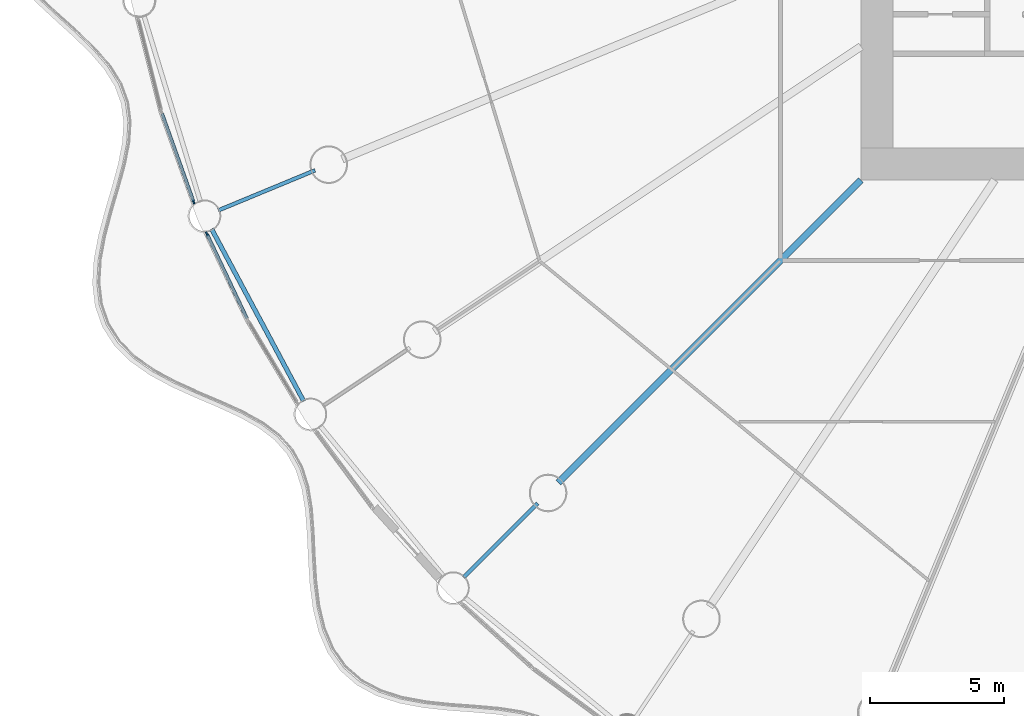
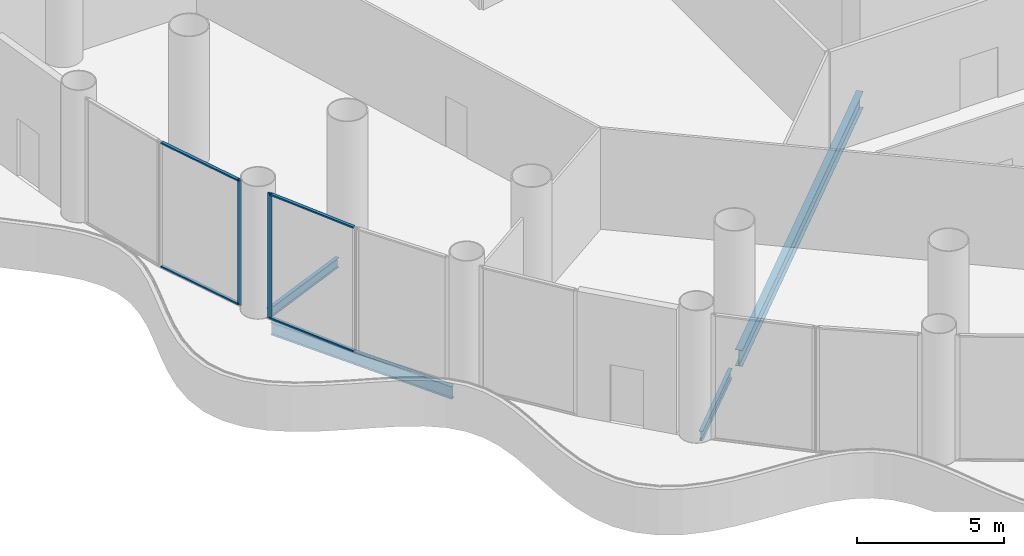
# One storey, part 3 of 37: 6 members, 4 beams, 2 elements without a shape of their own.
"""IFC4 building model written with IfcOpenShell, lengths in metres."""

from ifc_helpers import new_model, si_unit, direction, frame, origin, origin_2d, place, context, subcontext, project, spatial, rectangle, i_section, extrude, material, material_profile, profile_set, type_object, element, aggregate, save


model = new_model("IFC4")

# Units and contexts
model_context = context("Model", 3, precision=1e-05, world=origin(), true_north=direction((0.0, 1.0)))
body_context = subcontext(model_context, "Body", "Model", "MODEL_VIEW")
ifc_project = project(units=[si_unit("LENGTHUNIT", "METRE"), si_unit("AREAUNIT", "SQUARE_METRE"), si_unit("VOLUMEUNIT", "CUBIC_METRE"), si_unit("PLANEANGLEUNIT", "RADIAN"), si_unit("MASSUNIT", "GRAM", prefix="KILO")], contexts=[model_context])

# Site, building, storey
site_placement = place(None, origin())
site = spatial("IfcSite", under=ifc_project, at=site_placement, CompositionType="ELEMENT")
building_placement = place(site_placement, origin())
building = spatial("IfcBuilding", under=site, at=building_placement, Name="Corvane Civic Tower", CompositionType="ELEMENT")
storey_placement = place(building_placement, frame((0.0, 0.0, 11.5)))
storey = spatial("IfcBuildingStorey", under=building, at=storey_placement, Name="L02", CompositionType="ELEMENT", Elevation=11.5)

# Beams
ifc_material_1 = material(Name="Steel ASTM A992 Gr 50", Category="steel")
ifc_material_profile_1 = material_profile(ifc_material_1, i_section(OverallWidth=0.165771484375, OverallDepth=0.5283203125, WebThickness=0.009765625, FlangeThickness=0.013671875, at=origin_2d()), Name="W21X50")
ifc_profile_set_1 = profile_set([ifc_material_profile_1], Name="Steel ASTM A992 Gr 50")
beam_type_1 = type_object("IfcBeamType", Name="EDGE BEAM W21X50", PredefinedType="BEAM", material=ifc_profile_set_1)
beam_1_placement = place(storey_placement, frame((-35.762939453125, -23.23779296875, -0.564208984375), z_axis=(-0.471412394598, 0.881912894916, 0.0), x_axis=(-0.881912894916, -0.471412394598, 0.0)))
element("IfcBeam", 1, at=beam_1_placement, inside=storey, type_object=beam_type_1, Name="BM-L02-E22", PredefinedType="BEAM", context=body_context, shape_type="SweptSolid", body=[
    extrude(i_section(OverallWidth=0.165771484375, OverallDepth=0.5283203125, WebThickness=0.009765625, FlangeThickness=0.013671875, at=origin_2d()), origin(), (0.0, 0.0, 1.0), 7.270751953125),
])
ifc_material_2 = material(Name="Steel ASTM A992 Gr 50", Category="steel")
ifc_material_profile_2 = material_profile(ifc_material_2, i_section(OverallWidth=0.140380859375, OverallDepth=0.40380859375, WebThickness=0.007080078125, FlangeThickness=0.01123046875, at=origin_2d()), Name="W16X31")
ifc_profile_set_2 = profile_set([ifc_material_profile_2], Name="Steel ASTM A992 Gr 50")
beam_type_2 = type_object("IfcBeamType", Name="FLOOR GIRDER W16X31", PredefinedType="BEAM", material=ifc_profile_set_2)
for number, where, z_axis, x_axis, name in (
    (2, (-27.046875, -27.046875, -0.501953125), (-0.707106781187, -0.707106781187, 0.0), (0.707106781187, -0.707106781187, 0.0), "BM-L02-G21b"),
    (3, (-35.33837890625, -14.6376953125, -0.501953125), (-0.923878730261, -0.382685369162, 0.0), (0.382685369162, -0.923878730261, 0.0), "BM-L02-G23b"),
):
    element("IfcBeam", number, at=place(storey_placement, frame(where, z_axis=z_axis, x_axis=x_axis)), inside=storey, type_object=beam_type_2, Name=name, PredefinedType="BEAM", context=body_context, shape_type="SweptSolid", body=[
        extrude(i_section(OverallWidth=0.140380859375, OverallDepth=0.40380859375, WebThickness=0.007080078125, FlangeThickness=0.01123046875, at=origin_2d()), origin(), (0.0, 0.0, 1.0), 3.89990234375),
    ])
ifc_material_3 = material(Name="Steel ASTM A992 Gr 50", Category="steel")
ifc_material_profile_3 = material_profile(ifc_material_3, i_section(OverallWidth=0.25390625, OverallDepth=0.67822265625, WebThickness=0.01171875, FlangeThickness=0.016357421875, at=origin_2d()), Name="W27X84")
ifc_profile_set_3 = profile_set([ifc_material_profile_3], Name="Steel ASTM A992 Gr 50")
beam_type_3 = type_object("IfcBeamType", Name="FLOOR GIRDER W27X84", PredefinedType="BEAM", material=ifc_profile_set_3)
beam_2_placement = place(storey_placement, frame((-15.0, -15.0, -0.63916015625), z_axis=(-0.707106781187, -0.707106781187, 0.0), x_axis=(0.707106781187, -0.707106781187, 0.0)))
element("IfcBeam", 4, at=beam_2_placement, inside=storey, type_object=beam_type_3, Name="BM-L02-G21", PredefinedType="BEAM", context=body_context, shape_type="SweptSolid", body=[
    extrude(i_section(OverallWidth=0.25390625, OverallDepth=0.67822265625, WebThickness=0.01171875, FlangeThickness=0.016357421875, at=origin_2d()), origin(), (0.0, 0.0, 1.0), 15.936767578125),
])

# Curtain wall, member
ifc_material_4 = material(Name="Aluminium and glass", Category="aluminium")
curtain_wall_type = type_object("IfcCurtainWallType", Name="PODIUM-CW-P-RUN", PredefinedType="NOTDEFINED", material=ifc_material_4)
curtain_wall_1_placement = place(storey_placement, origin())
curtain_wall_1 = element("IfcCurtainWall", 5, at=curtain_wall_1_placement, inside=storey, type_object=curtain_wall_type, Name="PODI run L02-drum-22B", PredefinedType="NOTDEFINED")
ifc_material_5 = material(Name="Anodised aluminium bronze", Category="aluminium")
ifc_material_profile_4 = material_profile(ifc_material_5, rectangle(XDim=0.06005859375, YDim=0.159912109375, at=origin_2d()), Name="AL 60x160")
ifc_profile_set_4 = profile_set([ifc_material_profile_4], Name="Anodised aluminium bronze")
member_type_1 = type_object("IfcMemberType", Name="PODIUM-CWP-MULLION-60x160", PredefinedType="MULLION", material=ifc_profile_set_4)
member_1_placement = place(storey_placement, frame((-39.36767578125, -17.00439453125, 0.0), z_axis=(0.0, 0.0, 1.0), x_axis=(-0.903990222454, -0.42755312852, 0.0)))
member_1 = element("IfcMember", 6, at=member_1_placement, type_object=member_type_1, Name="CW-P mullion 2", PredefinedType="MULLION", context=body_context, shape_type="SweptSolid", body=[
    extrude(rectangle(XDim=0.06005859375, YDim=0.159912109375, at=origin_2d()), origin(), (0.0, 0.0, 1.0), 5.199951171875),
])

curtain_wall_2_placement = place(storey_placement, origin())
curtain_wall_2 = element("IfcCurtainWall", 7, at=curtain_wall_2_placement, inside=storey, type_object=curtain_wall_type, Name="PODI run L02-drum-23A", PredefinedType="NOTDEFINED")
member_2_placement = place(storey_placement, frame((-39.861083984375, -15.81298828125, 0.0), z_axis=(0.0, 0.0, 1.0), x_axis=(-0.941533802561, -0.336918534123, 0.0)))
member_2 = element("IfcMember", 8, at=member_2_placement, type_object=member_type_1, Name="CW-P mullion 1", PredefinedType="MULLION", context=body_context, shape_type="SweptSolid", body=[
    extrude(rectangle(XDim=0.06005859375, YDim=0.159912109375, at=origin_2d()), origin(), (0.0, 0.0, 1.0), 5.199951171875),
])

# Member
ifc_material_6 = material(Name="Anodised aluminium bronze", Category="aluminium")
ifc_material_profile_5 = material_profile(ifc_material_6, rectangle(XDim=0.1201171875, YDim=0.06005859375, at=origin_2d()), Name="AL 120x60")
ifc_profile_set_5 = profile_set([ifc_material_profile_5], Name="Anodised aluminium bronze")
member_type_2 = type_object("IfcMemberType", Name="PODIUM-CWP-TRANSOM-60x120", PredefinedType="USERDEFINED", material=ifc_profile_set_5)
member_3_placement = place(storey_placement, frame((-37.87548828125, -20.1591796875, 0.030029296875), z_axis=(-0.427546343166, 0.903993431638, 0.0), x_axis=(-0.903993431638, -0.427546343166, 0.0)))
member_3 = element("IfcMember", 9, at=member_3_placement, type_object=member_type_2, Name="CW-P transom 1.1", ObjectType="TRANSOM", PredefinedType="USERDEFINED", context=body_context, shape_type="SweptSolid", body=[
    extrude(rectangle(XDim=0.1201171875, YDim=0.06005859375, at=origin_2d()), origin(), (0.0, 0.0, 1.0), 3.4599609375),
])

member_4_placement = place(storey_placement, frame((-37.87548828125, -20.1591796875, 5.169921875), z_axis=(-0.427546343166, 0.903993431638, 0.0), x_axis=(-0.903993431638, -0.427546343166, 0.0)))
member_4 = element("IfcMember", 10, at=member_4_placement, type_object=member_type_2, Name="CW-P transom 1.2", ObjectType="TRANSOM", PredefinedType="USERDEFINED", context=body_context, shape_type="SweptSolid", body=[
    extrude(rectangle(XDim=0.1201171875, YDim=0.06005859375, at=origin_2d()), origin(), (0.0, 0.0, 1.0), 3.4599609375),
])

aggregate(curtain_wall_1, [member_1, member_3, member_4])

member_5_placement = place(storey_placement, frame((-39.87109375, -15.78466796875, 0.030029296875), z_axis=(-0.336939787896, 0.941526196838, 0.0), x_axis=(-0.941526196838, -0.336939787896, 0.0)))
member_5 = element("IfcMember", 11, at=member_5_placement, type_object=member_type_2, Name="CW-P transom 1.1", ObjectType="TRANSOM", PredefinedType="USERDEFINED", context=body_context, shape_type="SweptSolid", body=[
    extrude(rectangle(XDim=0.1201171875, YDim=0.06005859375, at=origin_2d()), origin(), (0.0, 0.0, 1.0), 3.4599609375),
])

member_6_placement = place(storey_placement, frame((-39.87109375, -15.78466796875, 5.169921875), z_axis=(-0.336939787896, 0.941526196838, 0.0), x_axis=(-0.941526196838, -0.336939787896, 0.0)))
member_6 = element("IfcMember", 12, at=member_6_placement, type_object=member_type_2, Name="CW-P transom 1.2", ObjectType="TRANSOM", PredefinedType="USERDEFINED", context=body_context, shape_type="SweptSolid", body=[
    extrude(rectangle(XDim=0.1201171875, YDim=0.06005859375, at=origin_2d()), origin(), (0.0, 0.0, 1.0), 3.4599609375),
])

aggregate(curtain_wall_2, [member_2, member_5, member_6])

save(model, "model.ifc")
